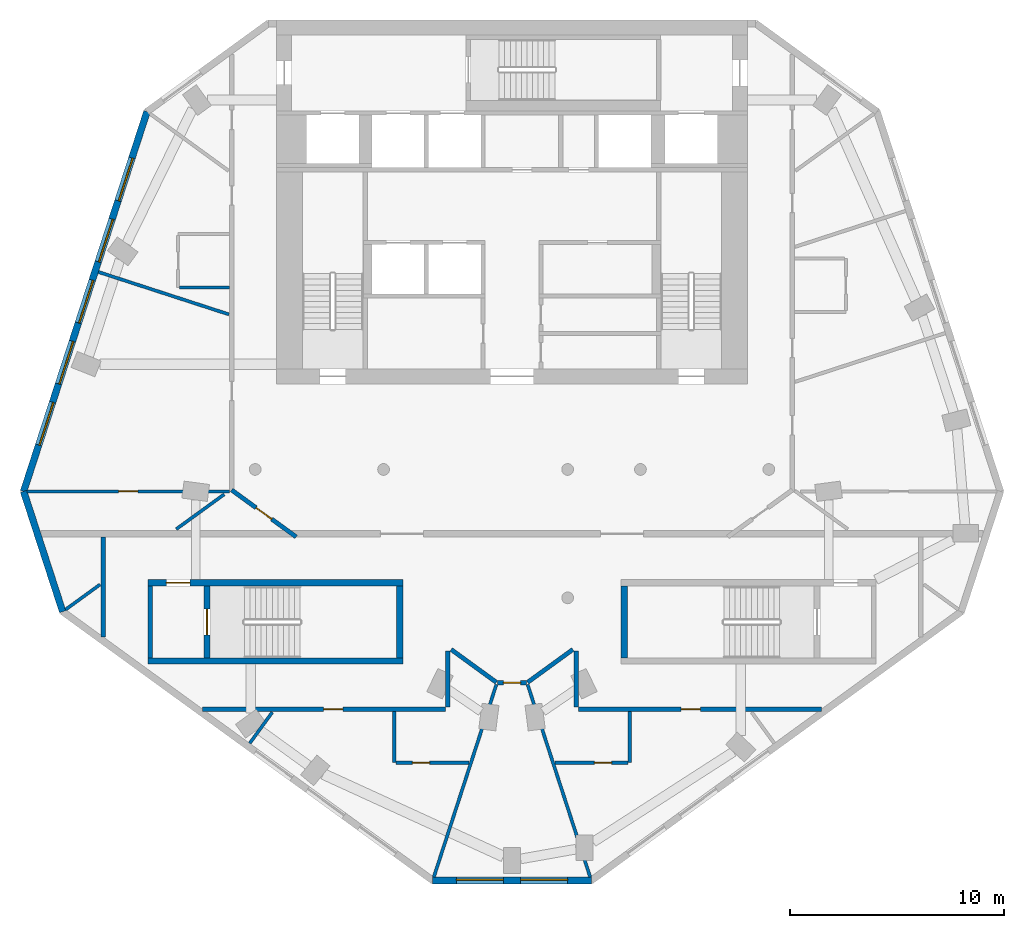
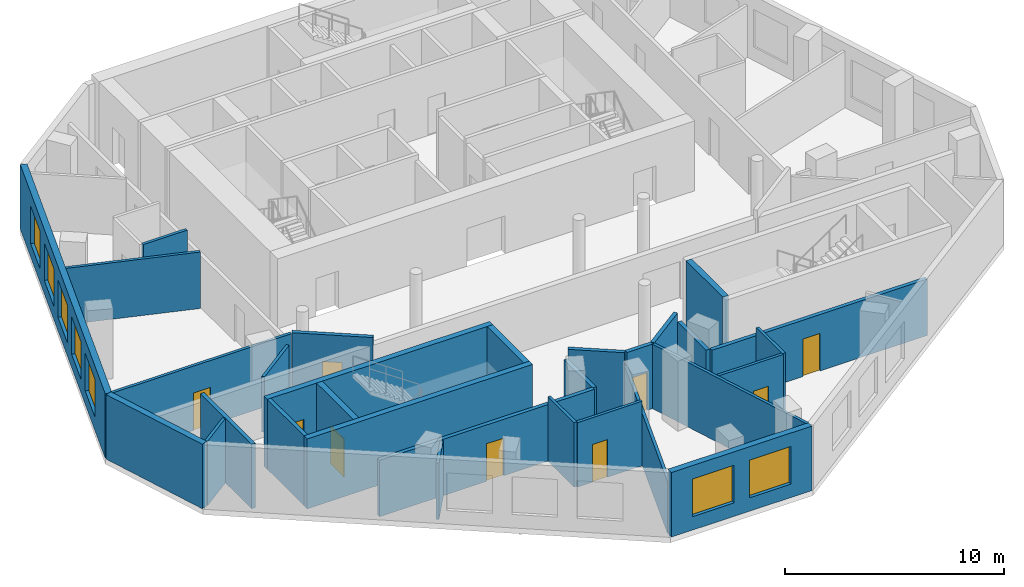
# One storey, part 2 of 8: 30 walls, 9 doors, 7 windows, 16 openings.
"""IFC4 building model written with IfcOpenShell, lengths in metres."""

from ifc_helpers import new_model, si_unit, direction, frame, frame_2d, origin, place, context, subcontext, project, spatial, rectangle, extrude, material, layer, layer_set, type_object, element, fill, save


model = new_model("IFC4")

# Units and contexts
model_context = context("Model", 3, precision=1e-05, world=origin(), true_north=direction((0.0, 1.0)))
body_context = subcontext(model_context, "Body", "Model", "MODEL_VIEW")
ifc_project = project(units=[si_unit("LENGTHUNIT", "METRE"), si_unit("AREAUNIT", "SQUARE_METRE"), si_unit("VOLUMEUNIT", "CUBIC_METRE"), si_unit("PLANEANGLEUNIT", "RADIAN"), si_unit("MASSUNIT", "GRAM", prefix="KILO")], contexts=[model_context])

# Site, building, storey
site_placement = place(None, origin())
site = spatial("IfcSite", under=ifc_project, at=site_placement, CompositionType="ELEMENT")
building_placement = place(site_placement, origin())
building = spatial("IfcBuilding", under=site, at=building_placement, Name="White Candle Pilgrim Tower", CompositionType="ELEMENT")
storey_placement = place(building_placement, frame((0.0, 0.0, 291.199951171875)))
storey = spatial("IfcBuildingStorey", under=building, at=storey_placement, Name="L69", CompositionType="ELEMENT", Elevation=291.199951171875)

# Walls
ifc_material_1 = material(Name="Concrete C50/60", Category="concrete")
ifc_layer_1 = layer(ifc_material_1, 0.199951171875)
ifc_layer_set_1 = layer_set([ifc_layer_1], Name="Core wall 200 mm Concrete C50/60")
wall_type_1 = type_object("IfcWallType", Name="Core wall 200 mm Concrete C50/60", PredefinedType="SHEAR", material=ifc_layer_set_1)
wall_1_placement = place(storey_placement, frame((53.10009765625, 58.199951171875, 0.0), z_axis=(0.0, 0.0, 1.0), x_axis=(0.0, 1.0, 0.0)))
element("IfcWall", 1, at=wall_1_placement, inside=storey, type_object=wall_type_1, Name="WL-L69-C03", PredefinedType="SHEAR", context=body_context, shape_type="SweptSolid", body=[
    extrude(rectangle(XDim=3.35009765625, YDim=0.199951171875, at=frame_2d((1.675048828125, 0.0))), origin(), (0.0, 0.0, 1.0), 3.900146484375),
])
ifc_material_2 = material(Name="Gypsum board on steel studs", Category="steel")
ifc_layer_2 = layer(ifc_material_2, 0.199951171875)
ifc_layer_set_2 = layer_set([ifc_layer_2], Name="Corridor wall 200 mm EI 45")
wall_type_2 = type_object("IfcWallType", Name="Corridor wall 200 mm EI 45", PredefinedType="PARTITIONING", material=ifc_layer_set_2)
wall_2_placement = place(storey_placement, frame((50.89990234375, 59.1767578125, 0.0), z_axis=(0.0, 0.0, 1.0), x_axis=(0.0, 1.0, 0.0)))
element("IfcWall", 2, at=wall_2_placement, inside=storey, type_object=wall_type_2, Name="WL-L69-P002", PredefinedType="PARTITIONING", context=body_context, shape_type="SweptSolid", body=[
    extrude(rectangle(XDim=4.67333984375, YDim=0.199951171875, at=frame_2d((2.336669921875, 0.0))), origin(), (0.0, 0.0, 1.0), 3.60009765625),
])

# Wall, opening, door
wall_3_placement = place(storey_placement, frame((59.91552734375, 63.85009765625, 0.0), z_axis=(0.0, 0.0, 1.0), x_axis=(-0.809024883744, 0.587774393355, 0.0)))
wall_3 = element("IfcWall", 3, at=wall_3_placement, inside=storey, type_object=wall_type_2, Name="WL-L69-P003", PredefinedType="PARTITIONING", context=body_context, shape_type="SweptSolid", body=[
    extrude(rectangle(XDim=3.7275390625, YDim=0.199951171875, at=frame_2d((1.86376953125, 0.0))), origin(), (0.0, 0.0, 1.0), 3.60009765625),
])
opening_1_placement = place(wall_3_placement, frame((1.413818359375, 0.0, 0.0)))
opening_1 = element("IfcOpeningElement", 4, at=opening_1_placement, cuts=wall_3, Name="Opening T21-118", PredefinedType="OPENING", context=body_context, shape_type="SweptSolid", body=[
    extrude(rectangle(XDim=0.89990234375, YDim=2.10009765625, at=frame_2d((0.449951171875, 1.050048828125))), frame((0.0, 0.10986328125, 0.0), z_axis=(0.0, -1.0, 0.0), x_axis=(1.0, 0.0, 0.0)), (0.0, 0.0, 1.0), 0.219970703125),
])
ifc_material_3 = material(Name="Steel door leaf", Category="steel")
door_type_1 = type_object("IfcDoorType", Name="Fire door 900 x 2100 EI 30", OperationType="NOTDEFINED", PredefinedType="DOOR", material=ifc_material_3)
door_1_placement = place(opening_1_placement, origin())
door_1 = element("IfcDoor", 5, at=door_1_placement, inside=storey, type_object=door_type_1, Name="Door T21-118", OperationType="SINGLE_SWING_RIGHT", OverallHeight=2.10009765625, OverallWidth=0.89990234375, PredefinedType="DOOR", context=body_context, shape_type="SweptSolid", body=[
    extrude(rectangle(XDim=0.89990234375, YDim=2.10009765625, at=frame_2d((0.449951171875, 1.050048828125))), frame((0.0, 0.02490234375, 0.0), z_axis=(0.0, -1.0, 0.0), x_axis=(1.0, 0.0, 0.0)), (0.0, 0.0, 1.0), 0.050048828125),
])
fill(opening_1, door_1)

wall_4_placement = place(storey_placement, frame((84.452392578125, 55.800048828125, 0.0), z_axis=(0.0, 0.0, 1.0), x_axis=(-1.0, 0.0, 0.0)))
wall_4 = element("IfcWall", 6, at=wall_4_placement, inside=storey, type_object=wall_type_2, Name="WL-L69-P008", PredefinedType="PARTITIONING", context=body_context, shape_type="SweptSolid", body=[
    extrude(rectangle(XDim=11.352294921875, YDim=0.199951171875, at=frame_2d((5.67626953125, 0.0))), origin(), (0.0, 0.0, 1.0), 3.150146484375),
])
opening_2_placement = place(wall_4_placement, frame((5.654541015625, 0.0, 0.0)))
opening_2 = element("IfcOpeningElement", 7, at=opening_2_placement, cuts=wall_4, Name="Opening T21-106", PredefinedType="OPENING", context=body_context, shape_type="SweptSolid", body=[
    extrude(rectangle(XDim=0.89990234375, YDim=2.10009765625, at=frame_2d((0.449951171875, 1.050048828125))), frame((0.0, 0.10986328125, 0.0), z_axis=(0.0, -1.0, 0.0), x_axis=(1.0, 0.0, 0.0)), (0.0, 0.0, 1.0), 0.219970703125),
])
door_2_placement = place(opening_2_placement, origin())
door_2 = element("IfcDoor", 8, at=door_2_placement, inside=storey, type_object=door_type_1, Name="Door T21-106", OperationType="SINGLE_SWING_RIGHT", OverallHeight=2.10009765625, OverallWidth=0.89990234375, PredefinedType="DOOR", context=body_context, shape_type="SweptSolid", body=[
    extrude(rectangle(XDim=0.89990234375, YDim=2.10009765625, at=frame_2d((0.449951171875, 1.050048828125))), frame((0.0, 0.02490234375, 0.0), z_axis=(0.0, -1.0, 0.0), x_axis=(1.0, 0.0, 0.0)), (0.0, 0.0, 1.0), 0.050048828125),
])
fill(opening_2, door_2)

# Walls
wall_5_placement = place(storey_placement, frame((73.0, 55.89990234375, 0.0), z_axis=(0.0, 0.0, 1.0), x_axis=(0.0, 1.0, 0.0)))
element("IfcWall", 9, at=wall_5_placement, inside=storey, type_object=wall_type_2, Name="WL-L69-P009", PredefinedType="PARTITIONING", context=body_context, shape_type="SweptSolid", body=[
    extrude(rectangle(XDim=2.606689453125, YDim=0.199951171875, at=frame_2d((1.30322265625, 0.0))), origin(), (0.0, 0.0, 1.0), 3.10009765625),
])
wall_6_placement = place(storey_placement, frame((72.84130859375, 58.58740234375, 0.0), z_axis=(0.0, 0.0, 1.0), x_axis=(-0.809063502696, -0.587721233754, 0.0)))
element("IfcWall", 10, at=wall_6_placement, inside=storey, type_object=wall_type_2, Name="WL-L69-P010", PredefinedType="PARTITIONING", context=body_context, shape_type="SweptSolid", body=[
    extrude(rectangle(XDim=2.61083984375, YDim=0.199951171875, at=frame_2d((1.305419921875, 0.0))), origin(), (0.0, 0.0, 1.0), 3.60009765625),
])

# Wall, opening, door
wall_7_placement = place(storey_placement, frame((70.67041015625, 57.033935546875, 0.0), z_axis=(0.0, 0.0, 1.0), x_axis=(-1.0, 0.0, 0.0)))
wall_7 = element("IfcWall", 11, at=wall_7_placement, inside=storey, type_object=wall_type_2, Name="WL-L69-P011", PredefinedType="PARTITIONING", context=body_context, shape_type="SweptSolid", body=[
    extrude(rectangle(XDim=1.3408203125, YDim=0.199951171875, at=frame_2d((0.67041015625, 0.0))), origin(), (0.0, 0.0, 1.0), 3.60009765625),
])
opening_3_placement = place(wall_7_placement, frame((0.270263671875, 0.0, 0.0)))
opening_3 = element("IfcOpeningElement", 12, at=opening_3_placement, cuts=wall_7, Name="Opening T21-104", PredefinedType="OPENING", context=body_context, shape_type="SweptSolid", body=[
    extrude(rectangle(XDim=0.800048828125, YDim=2.10009765625, at=frame_2d((0.39990234375, 1.050048828125))), frame((0.0, 0.10986328125, 0.0), z_axis=(0.0, -1.0, 0.0), x_axis=(1.0, 0.0, 0.0)), (0.0, 0.0, 1.0), 0.219970703125),
])
door_type_2 = type_object("IfcDoorType", Name="Fire door 800 x 2100 EI 30", OperationType="NOTDEFINED", PredefinedType="DOOR", material=ifc_material_3)
door_3_placement = place(opening_3_placement, origin())
door_3 = element("IfcDoor", 13, at=door_3_placement, inside=storey, type_object=door_type_2, Name="Door T21-104", OperationType="SINGLE_SWING_RIGHT", OverallHeight=2.10009765625, OverallWidth=0.800048828125, PredefinedType="DOOR", context=body_context, shape_type="SweptSolid", body=[
    extrude(rectangle(XDim=0.800048828125, YDim=2.10009765625, at=frame_2d((0.39990234375, 1.050048828125))), frame((0.0, 0.02490234375, 0.0), z_axis=(0.0, -1.0, 0.0), x_axis=(1.0, 0.0, 0.0)), (0.0, 0.0, 1.0), 0.050048828125),
])
fill(opening_3, door_3)

# Walls
wall_8_placement = place(storey_placement, frame((69.27099609375, 57.052978515625, 0.0), z_axis=(0.0, 0.0, 1.0), x_axis=(-0.809063502696, 0.587721233754, 0.0)))
element("IfcWall", 14, at=wall_8_placement, inside=storey, type_object=wall_type_2, Name="WL-L69-P012", PredefinedType="PARTITIONING", context=body_context, shape_type="SweptSolid", body=[
    extrude(rectangle(XDim=2.61083984375, YDim=0.199951171875, at=frame_2d((1.305419921875, 0.0))), origin(), (0.0, 0.0, 1.0), 3.60009765625),
])
wall_9_placement = place(storey_placement, frame((67.0, 58.506591796875, 0.0), z_axis=(0.0, 0.0, 1.0), x_axis=(0.0, -1.0, 0.0)))
element("IfcWall", 15, at=wall_9_placement, inside=storey, type_object=wall_type_2, Name="WL-L69-P013", PredefinedType="PARTITIONING", context=body_context, shape_type="SweptSolid", body=[
    extrude(rectangle(XDim=2.606689453125, YDim=0.199951171875, at=frame_2d((1.30322265625, 0.0))), origin(), (0.0, 0.0, 1.0), 3.10009765625),
])

# Wall, opening, door
wall_10_placement = place(storey_placement, frame((66.89990234375, 55.800048828125, 0.0), z_axis=(0.0, 0.0, 1.0), x_axis=(-1.0, 0.0, 0.0)))
wall_10 = element("IfcWall", 16, at=wall_10_placement, inside=storey, type_object=wall_type_2, Name="WL-L69-P014", PredefinedType="PARTITIONING", context=body_context, shape_type="SweptSolid", body=[
    extrude(rectangle(XDim=11.352294921875, YDim=0.199951171875, at=frame_2d((5.67626953125, 0.0))), origin(), (0.0, 0.0, 1.0), 3.150146484375),
])
opening_4_placement = place(wall_10_placement, frame((4.7978515625, 0.0, 0.0)))
opening_4 = element("IfcOpeningElement", 17, at=opening_4_placement, cuts=wall_10, Name="Opening T21-103", PredefinedType="OPENING", context=body_context, shape_type="SweptSolid", body=[
    extrude(rectangle(XDim=0.89990234375, YDim=2.10009765625, at=frame_2d((0.449951171875, 1.050048828125))), frame((0.0, 0.10986328125, 0.0), z_axis=(0.0, -1.0, 0.0), x_axis=(1.0, 0.0, 0.0)), (0.0, 0.0, 1.0), 0.219970703125),
])
door_4_placement = place(opening_4_placement, origin())
door_4 = element("IfcDoor", 18, at=door_4_placement, inside=storey, type_object=door_type_1, Name="Door T21-103", OperationType="SINGLE_SWING_LEFT", OverallHeight=2.10009765625, OverallWidth=0.89990234375, PredefinedType="DOOR", context=body_context, shape_type="SweptSolid", body=[
    extrude(rectangle(XDim=0.89990234375, YDim=2.10009765625, at=frame_2d((0.449951171875, 1.050048828125))), frame((0.0, 0.02490234375, 0.0), z_axis=(0.0, -1.0, 0.0), x_axis=(1.0, 0.0, 0.0)), (0.0, 0.0, 1.0), 0.050048828125),
])
fill(opening_4, door_4)

# Wall
ifc_material_4 = material(Name="Precast concrete C40/50", Category="concrete")
ifc_layer_3 = layer(ifc_material_4, 0.320068359375)
ifc_layer_set_3 = layer_set([ifc_layer_3], Name="Facade wall EW1 precast concrete C40/50 pier wall with timber-lined reveals")
wall_type_3 = type_object("IfcWallType", Name="Facade wall EW1 precast concrete C40/50 pier wall with timber-lined reveals", PredefinedType="SOLIDWALL", material=ifc_layer_set_3)
wall_11_placement = place(storey_placement, frame((47.180419921875, 65.974853515625, 0.0), z_axis=(0.0, 0.0, 1.0), x_axis=(0.30899265151, -0.951064425427, 0.0)))
element("IfcWall", 19, at=wall_11_placement, inside=storey, type_object=wall_type_3, Name="Facade wall L69 W chamfer", PredefinedType="SOLIDWALL", context=body_context, shape_type="SweptSolid", body=[
    extrude(rectangle(XDim=5.9091796875, YDim=0.320068359375, at=frame_2d((2.95458984375, 0.0))), origin(), (0.0, 0.0, 1.0), 3.60009765625),
])

# Wall, openings, windows
wall_12_placement = place(storey_placement, frame((66.294921875, 47.7939453125, 0.0), z_axis=(0.0, 0.0, 1.0), x_axis=(1.0, 0.0, 0.0)))
wall_12 = element("IfcWall", 20, at=wall_12_placement, inside=storey, type_object=wall_type_3, Name="Facade wall L69 S chamfer", PredefinedType="SOLIDWALL", context=body_context, shape_type="SweptSolid", body=[
    extrude(rectangle(XDim=7.41015625, YDim=0.320068359375, at=frame_2d((3.705078125, 0.0))), origin(), (0.0, 0.0, 1.0), 3.60009765625),
])
opening_5_placement = place(wall_12_placement, frame((1.10498046875, 0.0, 0.75)))
opening_5 = element("IfcOpeningElement", 21, at=opening_5_placement, cuts=wall_12, Name="Opening W4", PredefinedType="OPENING", context=body_context, shape_type="SweptSolid", body=[
    extrude(rectangle(XDim=2.199951171875, YDim=2.10009765625, at=frame_2d((1.10009765625, 1.050048828125))), frame((0.0, 0.169921875, 0.0), z_axis=(0.0, -1.0, 0.0), x_axis=(1.0, 0.0, 0.0)), (0.0, 0.0, 1.0), 0.340087890625),
])
opening_6_placement = place(wall_12_placement, frame((4.10498046875, 0.0, 0.75)))
opening_6 = element("IfcOpeningElement", 22, at=opening_6_placement, cuts=wall_12, Name="Opening W4", PredefinedType="OPENING", context=body_context, shape_type="SweptSolid", body=[
    extrude(rectangle(XDim=2.199951171875, YDim=2.10009765625, at=frame_2d((1.10009765625, 1.050048828125))), frame((0.0, 0.169921875, 0.0), z_axis=(0.0, -1.0, 0.0), x_axis=(1.0, 0.0, 0.0)), (0.0, 0.0, 1.0), 0.340087890625),
])
ifc_material_5 = material(Name="Timber frame with triple glazing", Category="wood")
window_type_1 = type_object("IfcWindowType", Name="Window W4 2200x2100 timber frame triple glazing", PartitioningType="SINGLE_PANEL", PredefinedType="WINDOW", material=ifc_material_5)
window_1_placement = place(opening_5_placement, origin())
window_1 = element("IfcWindow", 23, at=window_1_placement, inside=storey, type_object=window_type_1, Name="Window W4 L69 S chamfer 1", OverallHeight=2.10009765625, OverallWidth=2.199951171875, PartitioningType="SINGLE_PANEL", PredefinedType="WINDOW", context=body_context, shape_type="SweptSolid", body=[
    extrude(rectangle(XDim=2.199951171875, YDim=2.10009765625, at=frame_2d((1.10009765625, 1.050048828125))), frame((0.0, 0.070068359375, 0.0), z_axis=(0.0, -1.0, 0.0), x_axis=(1.0, 0.0, 0.0)), (0.0, 0.0, 1.0), 0.06005859375),
])
fill(opening_5, window_1)
window_2_placement = place(opening_6_placement, origin())
window_2 = element("IfcWindow", 24, at=window_2_placement, inside=storey, type_object=window_type_1, Name="Window W4 L69 S chamfer 2", OverallHeight=2.10009765625, OverallWidth=2.199951171875, PartitioningType="SINGLE_PANEL", PredefinedType="WINDOW", context=body_context, shape_type="SweptSolid", body=[
    extrude(rectangle(XDim=2.199951171875, YDim=2.10009765625, at=frame_2d((1.10009765625, 1.050048828125))), frame((0.0, 0.070068359375, 0.0), z_axis=(0.0, -1.0, 0.0), x_axis=(1.0, 0.0, 0.0)), (0.0, 0.0, 1.0), 0.06005859375),
])
fill(opening_6, window_2)

wall_13_placement = place(storey_placement, frame((52.94677734375, 83.7216796875, 0.0), z_axis=(0.0, 0.0, 1.0), x_axis=(-0.3090200992, -0.951055507471, 0.0)))
wall_13 = element("IfcWall", 25, at=wall_13_placement, inside=storey, type_object=wall_type_3, Name="Facade wall L69 WNW", PredefinedType="SOLIDWALL", context=body_context, shape_type="SweptSolid", body=[
    extrude(rectangle(XDim=18.66015625, YDim=0.320068359375, at=frame_2d((9.330078125, 0.0))), origin(), (0.0, 0.0, 1.0), 3.60009765625),
])
opening_7_placement = place(wall_13_placement, frame((2.280029296875, 0.0, 0.75)))
opening_7 = element("IfcOpeningElement", 26, at=opening_7_placement, cuts=wall_13, Name="Opening W3", PredefinedType="OPENING", context=body_context, shape_type="SweptSolid", body=[
    extrude(rectangle(XDim=2.10009765625, YDim=2.10009765625, at=frame_2d((1.050048828125, 1.050048828125))), frame((0.0, 0.169921875, 0.0), z_axis=(0.0, -1.0, 0.0), x_axis=(1.0, 0.0, 0.0)), (0.0, 0.0, 1.0), 0.340087890625),
])
opening_8_placement = place(wall_13_placement, frame((5.280029296875, 0.0, 0.75)))
opening_8 = element("IfcOpeningElement", 27, at=opening_8_placement, cuts=wall_13, Name="Opening W3", PredefinedType="OPENING", context=body_context, shape_type="SweptSolid", body=[
    extrude(rectangle(XDim=2.10009765625, YDim=2.10009765625, at=frame_2d((1.050048828125, 1.050048828125))), frame((0.0, 0.169921875, 0.0), z_axis=(0.0, -1.0, 0.0), x_axis=(1.0, 0.0, 0.0)), (0.0, 0.0, 1.0), 0.340087890625),
])
opening_9_placement = place(wall_13_placement, frame((8.280029296875, 0.0, 0.75)))
opening_9 = element("IfcOpeningElement", 28, at=opening_9_placement, cuts=wall_13, Name="Opening W3", PredefinedType="OPENING", context=body_context, shape_type="SweptSolid", body=[
    extrude(rectangle(XDim=2.10009765625, YDim=2.10009765625, at=frame_2d((1.050048828125, 1.050048828125))), frame((0.0, 0.169921875, 0.0), z_axis=(0.0, -1.0, 0.0), x_axis=(1.0, 0.0, 0.0)), (0.0, 0.0, 1.0), 0.340087890625),
])
opening_10_placement = place(wall_13_placement, frame((11.280029296875, 0.0, 0.75)))
opening_10 = element("IfcOpeningElement", 29, at=opening_10_placement, cuts=wall_13, Name="Opening W3", PredefinedType="OPENING", context=body_context, shape_type="SweptSolid", body=[
    extrude(rectangle(XDim=2.10009765625, YDim=2.10009765625, at=frame_2d((1.050048828125, 1.050048828125))), frame((0.0, 0.169921875, 0.0), z_axis=(0.0, -1.0, 0.0), x_axis=(1.0, 0.0, 0.0)), (0.0, 0.0, 1.0), 0.340087890625),
])
opening_11_placement = place(wall_13_placement, frame((14.280029296875, 0.0, 0.75)))
opening_11 = element("IfcOpeningElement", 30, at=opening_11_placement, cuts=wall_13, Name="Opening W3", PredefinedType="OPENING", context=body_context, shape_type="SweptSolid", body=[
    extrude(rectangle(XDim=2.10009765625, YDim=2.10009765625, at=frame_2d((1.050048828125, 1.050048828125))), frame((0.0, 0.169921875, 0.0), z_axis=(0.0, -1.0, 0.0), x_axis=(1.0, 0.0, 0.0)), (0.0, 0.0, 1.0), 0.340087890625),
])
window_type_2 = type_object("IfcWindowType", Name="Window W3 2100x2100 timber frame triple glazing", PartitioningType="SINGLE_PANEL", PredefinedType="WINDOW", material=ifc_material_5)
window_3_placement = place(opening_7_placement, origin())
window_3 = element("IfcWindow", 31, at=window_3_placement, inside=storey, type_object=window_type_2, Name="Window W3 L69 WNW 1", OverallHeight=2.10009765625, OverallWidth=2.10009765625, PartitioningType="SINGLE_PANEL", PredefinedType="WINDOW", context=body_context, shape_type="SweptSolid", body=[
    extrude(rectangle(XDim=2.10009765625, YDim=2.10009765625, at=frame_2d((1.050048828125, 1.050048828125))), frame((0.0, 0.070068359375, 0.0), z_axis=(0.0, -1.0, 0.0), x_axis=(1.0, 0.0, 0.0)), (0.0, 0.0, 1.0), 0.06005859375),
])
fill(opening_7, window_3)
window_4_placement = place(opening_8_placement, origin())
window_4 = element("IfcWindow", 32, at=window_4_placement, inside=storey, type_object=window_type_2, Name="Window W3 L69 WNW 2", OverallHeight=2.10009765625, OverallWidth=2.10009765625, PartitioningType="SINGLE_PANEL", PredefinedType="WINDOW", context=body_context, shape_type="SweptSolid", body=[
    extrude(rectangle(XDim=2.10009765625, YDim=2.10009765625, at=frame_2d((1.050048828125, 1.050048828125))), frame((0.0, 0.070068359375, 0.0), z_axis=(0.0, -1.0, 0.0), x_axis=(1.0, 0.0, 0.0)), (0.0, 0.0, 1.0), 0.06005859375),
])
fill(opening_8, window_4)
window_5_placement = place(opening_9_placement, origin())
window_5 = element("IfcWindow", 33, at=window_5_placement, inside=storey, type_object=window_type_2, Name="Window W3 L69 WNW 3", OverallHeight=2.10009765625, OverallWidth=2.10009765625, PartitioningType="SINGLE_PANEL", PredefinedType="WINDOW", context=body_context, shape_type="SweptSolid", body=[
    extrude(rectangle(XDim=2.10009765625, YDim=2.10009765625, at=frame_2d((1.050048828125, 1.050048828125))), frame((0.0, 0.070068359375, 0.0), z_axis=(0.0, -1.0, 0.0), x_axis=(1.0, 0.0, 0.0)), (0.0, 0.0, 1.0), 0.06005859375),
])
fill(opening_9, window_5)
window_6_placement = place(opening_10_placement, origin())
window_6 = element("IfcWindow", 34, at=window_6_placement, inside=storey, type_object=window_type_2, Name="Window W3 L69 WNW 4", OverallHeight=2.10009765625, OverallWidth=2.10009765625, PartitioningType="SINGLE_PANEL", PredefinedType="WINDOW", context=body_context, shape_type="SweptSolid", body=[
    extrude(rectangle(XDim=2.10009765625, YDim=2.10009765625, at=frame_2d((1.050048828125, 1.050048828125))), frame((0.0, 0.070068359375, 0.0), z_axis=(0.0, -1.0, 0.0), x_axis=(1.0, 0.0, 0.0)), (0.0, 0.0, 1.0), 0.06005859375),
])
fill(opening_10, window_6)
window_7_placement = place(opening_11_placement, origin())
window_7 = element("IfcWindow", 35, at=window_7_placement, inside=storey, type_object=window_type_2, Name="Window W3 L69 WNW 5", OverallHeight=2.10009765625, OverallWidth=2.10009765625, PartitioningType="SINGLE_PANEL", PredefinedType="WINDOW", context=body_context, shape_type="SweptSolid", body=[
    extrude(rectangle(XDim=2.10009765625, YDim=2.10009765625, at=frame_2d((1.050048828125, 1.050048828125))), frame((0.0, 0.070068359375, 0.0), z_axis=(0.0, -1.0, 0.0), x_axis=(1.0, 0.0, 0.0)), (0.0, 0.0, 1.0), 0.06005859375),
])
fill(opening_11, window_7)

# Wall, opening, door
ifc_layer_4 = layer(ifc_material_2, 0.14990234375)
ifc_layer_set_4 = layer_set([ifc_layer_4], Name="Partition 150 mm EI 60")
wall_type_4 = type_object("IfcWallType", Name="Partition 150 mm EI 60", PredefinedType="PARTITIONING", material=ifc_layer_set_4)
wall_14_placement = place(storey_placement, frame((47.3486328125, 65.974853515625, 0.0), z_axis=(0.0, 0.0, 1.0), x_axis=(1.0, 0.0, 0.0)))
wall_14 = element("IfcWall", 36, at=wall_14_placement, inside=storey, type_object=wall_type_4, Name="WL-L69-P016", PredefinedType="PARTITIONING", context=body_context, shape_type="SweptSolid", body=[
    extrude(rectangle(XDim=9.451416015625, YDim=0.14990234375, at=frame_2d((4.7255859375, 0.0))), origin(), (0.0, 0.0, 1.0), 3.60009765625),
])
opening_12_placement = place(wall_14_placement, frame((4.267822265625, 0.0, 0.0)))
opening_12 = element("IfcOpeningElement", 37, at=opening_12_placement, cuts=wall_14, Name="Opening T21-120", PredefinedType="OPENING", context=body_context, shape_type="SweptSolid", body=[
    extrude(rectangle(XDim=0.89990234375, YDim=2.10009765625, at=frame_2d((0.449951171875, 1.050048828125))), frame((0.0, 0.0849609375, 0.0), z_axis=(0.0, -1.0, 0.0), x_axis=(1.0, 0.0, 0.0)), (0.0, 0.0, 1.0), 0.169921875),
])
door_5_placement = place(opening_12_placement, frame((0.89990234375, 0.0, 0.0), z_axis=(0.0, 0.0, 1.0), x_axis=(-1.0, 0.0, 0.0)))
door_5 = element("IfcDoor", 38, at=door_5_placement, inside=storey, type_object=door_type_1, Name="Door T21-120", OperationType="SINGLE_SWING_LEFT", OverallHeight=2.10009765625, OverallWidth=0.89990234375, PredefinedType="DOOR", context=body_context, shape_type="SweptSolid", body=[
    extrude(rectangle(XDim=0.89990234375, YDim=2.10009765625, at=frame_2d((0.449951171875, 1.050048828125))), frame((0.0, 0.02490234375, 0.0), z_axis=(0.0, -1.0, 0.0), x_axis=(1.0, 0.0, 0.0)), (0.0, 0.0, 1.0), 0.050048828125),
])
fill(opening_12, door_5)

# Walls
wall_15_placement = place(storey_placement, frame((49.142578125, 60.45361328125, 0.0), z_axis=(0.0, 0.0, 1.0), x_axis=(0.809016588302, 0.587785811204, 0.0)))
element("IfcWall", 39, at=wall_15_placement, inside=storey, type_object=wall_type_4, Name="WL-L69-P017", PredefinedType="PARTITIONING", context=body_context, shape_type="SweptSolid", body=[
    extrude(rectangle(XDim=1.994140625, YDim=0.14990234375, at=frame_2d((0.9970703125, 0.0))), origin(), (0.0, 0.0, 1.0), 3.60009765625),
])
wall_16_placement = place(storey_placement, frame((54.313720703125, 64.210693359375, 0.0), z_axis=(0.0, 0.0, 1.0), x_axis=(0.809002762913, 0.58780483972, 0.0)))
element("IfcWall", 40, at=wall_16_placement, inside=storey, type_object=wall_type_4, Name="WL-L69-P018", PredefinedType="PARTITIONING", context=body_context, shape_type="SweptSolid", body=[
    extrude(rectangle(XDim=2.770263671875, YDim=0.14990234375, at=frame_2d((1.38525390625, 0.0))), origin(), (0.0, 0.0, 1.0), 3.10009765625),
])
wall_17_placement = place(storey_placement, frame((66.346923828125, 47.953857421875, 0.0), z_axis=(0.0, 0.0, 1.0), x_axis=(0.309027729723, 0.951053028102, 0.0)))
element("IfcWall", 41, at=wall_17_placement, inside=storey, type_object=wall_type_4, Name="WL-L69-P019", PredefinedType="PARTITIONING", context=body_context, shape_type="SweptSolid", body=[
    extrude(rectangle(XDim=9.462158203125, YDim=0.14990234375, at=frame_2d((4.73095703125, 0.0))), origin(), (0.0, 0.0, 1.0), 2.900146484375),
])
wall_18_placement = place(storey_placement, frame((73.653076171875, 47.953857421875, 0.0), z_axis=(0.0, 0.0, 1.0), x_axis=(-0.309027729723, 0.951053028102, 0.0)))
element("IfcWall", 42, at=wall_18_placement, inside=storey, type_object=wall_type_4, Name="WL-L69-P020", PredefinedType="PARTITIONING", context=body_context, shape_type="SweptSolid", body=[
    extrude(rectangle(XDim=9.462158203125, YDim=0.14990234375, at=frame_2d((4.73095703125, 0.0))), origin(), (0.0, 0.0, 1.0), 3.60009765625),
])
wall_19_placement = place(storey_placement, frame((50.67919921875, 76.225341796875, 0.0), z_axis=(0.0, 0.0, 1.0), x_axis=(0.951058691075, -0.309010301012, 0.0)))
element("IfcWall", 43, at=wall_19_placement, inside=storey, type_object=wall_type_4, Name="WL-L69-P025", PredefinedType="PARTITIONING", context=body_context, shape_type="SweptSolid", body=[
    extrude(rectangle(XDim=6.411376953125, YDim=0.14990234375, at=frame_2d((3.20556640625, 0.0))), origin(), (0.0, 0.0, 1.0), 3.150146484375),
])
wall_20_placement = place(storey_placement, frame((56.800048828125, 75.504150390625, 0.0), z_axis=(0.0, 0.0, 1.0), x_axis=(-1.0, 0.0, 0.0)))
element("IfcWall", 44, at=wall_20_placement, inside=storey, type_object=wall_type_4, Name="WL-L69-P028", PredefinedType="PARTITIONING", context=body_context, shape_type="SweptSolid", body=[
    extrude(rectangle(XDim=2.324951171875, YDim=0.14990234375, at=frame_2d((1.16259765625, 0.0))), origin(), (0.0, 0.0, 1.0), 3.60009765625),
])
wall_21_placement = place(storey_placement, frame((57.74462890625, 54.20361328125, 0.0), z_axis=(0.0, 0.0, 1.0), x_axis=(0.58776731683, 0.809030024947, 0.0)))
element("IfcWall", 45, at=wall_21_placement, inside=storey, type_object=wall_type_4, Name="WL-L69-P029", PredefinedType="PARTITIONING", context=body_context, shape_type="SweptSolid", body=[
    extrude(rectangle(XDim=1.795166015625, YDim=0.14990234375, at=frame_2d((0.8974609375, 0.0))), origin(), (0.0, 0.0, 1.0), 3.150146484375),
])
wall_22_placement = place(storey_placement, frame((64.5, 55.699951171875, 0.0), z_axis=(0.0, 0.0, 1.0), x_axis=(0.0, -1.0, 0.0)))
element("IfcWall", 46, at=wall_22_placement, inside=storey, type_object=wall_type_4, Name="WL-L69-P030", PredefinedType="PARTITIONING", context=body_context, shape_type="SweptSolid", body=[
    extrude(rectangle(XDim=2.39990234375, YDim=0.14990234375, at=frame_2d((1.199951171875, 0.0))), origin(), (0.0, 0.0, 1.0), 3.60009765625),
])

# Wall, opening, door
wall_23_placement = place(storey_placement, frame((67.980712890625, 53.300048828125, 0.0), z_axis=(0.0, 0.0, 1.0), x_axis=(-1.0, 0.0, 0.0)))
wall_23 = element("IfcWall", 47, at=wall_23_placement, inside=storey, type_object=wall_type_4, Name="WL-L69-P031", PredefinedType="PARTITIONING", context=body_context, shape_type="SweptSolid", body=[
    extrude(rectangle(XDim=3.40576171875, YDim=0.14990234375, at=frame_2d((1.702880859375, 0.0))), origin(), (0.0, 0.0, 1.0), 3.60009765625),
])
opening_13_placement = place(wall_23_placement, frame((1.830810546875, 0.0, 0.0)))
opening_13 = element("IfcOpeningElement", 48, at=opening_13_placement, cuts=wall_23, Name="Opening T21-102", PredefinedType="OPENING", context=body_context, shape_type="SweptSolid", body=[
    extrude(rectangle(XDim=0.800048828125, YDim=2.10009765625, at=frame_2d((0.39990234375, 1.050048828125))), frame((0.0, 0.0849609375, 0.0), z_axis=(0.0, -1.0, 0.0), x_axis=(1.0, 0.0, 0.0)), (0.0, 0.0, 1.0), 0.169921875),
])
door_6_placement = place(opening_13_placement, origin())
door_6 = element("IfcDoor", 49, at=door_6_placement, inside=storey, type_object=door_type_2, Name="Door T21-102", OperationType="SINGLE_SWING_RIGHT", OverallHeight=2.10009765625, OverallWidth=0.800048828125, PredefinedType="DOOR", context=body_context, shape_type="SweptSolid", body=[
    extrude(rectangle(XDim=0.800048828125, YDim=2.10009765625, at=frame_2d((0.39990234375, 1.050048828125))), frame((0.0, 0.02490234375, 0.0), z_axis=(0.0, -1.0, 0.0), x_axis=(1.0, 0.0, 0.0)), (0.0, 0.0, 1.0), 0.050048828125),
])
fill(opening_13, door_6)

# Wall
wall_24_placement = place(storey_placement, frame((75.5, 55.699951171875, 0.0), z_axis=(0.0, 0.0, 1.0), x_axis=(0.0, -1.0, 0.0)))
element("IfcWall", 50, at=wall_24_placement, inside=storey, type_object=wall_type_4, Name="WL-L69-P033", PredefinedType="PARTITIONING", context=body_context, shape_type="SweptSolid", body=[
    extrude(rectangle(XDim=2.39990234375, YDim=0.14990234375, at=frame_2d((1.199951171875, 0.0))), origin(), (0.0, 0.0, 1.0), 3.60009765625),
])

# Wall, opening, door
wall_25_placement = place(storey_placement, frame((72.019287109375, 53.300048828125, 0.0), z_axis=(0.0, 0.0, 1.0), x_axis=(1.0, 0.0, 0.0)))
wall_25 = element("IfcWall", 51, at=wall_25_placement, inside=storey, type_object=wall_type_4, Name="WL-L69-P034", PredefinedType="PARTITIONING", context=body_context, shape_type="SweptSolid", body=[
    extrude(rectangle(XDim=3.40576171875, YDim=0.14990234375, at=frame_2d((1.702880859375, 0.0))), origin(), (0.0, 0.0, 1.0), 3.60009765625),
])
opening_14_placement = place(wall_25_placement, frame((1.830810546875, 0.0, 0.0)))
opening_14 = element("IfcOpeningElement", 52, at=opening_14_placement, cuts=wall_25, Name="Opening T21-105", PredefinedType="OPENING", context=body_context, shape_type="SweptSolid", body=[
    extrude(rectangle(XDim=0.800048828125, YDim=2.10009765625, at=frame_2d((0.39990234375, 1.050048828125))), frame((0.0, 0.0849609375, 0.0), z_axis=(0.0, -1.0, 0.0), x_axis=(1.0, 0.0, 0.0)), (0.0, 0.0, 1.0), 0.169921875),
])
door_7_placement = place(opening_14_placement, frame((0.800048828125, 0.0, 0.0), z_axis=(0.0, 0.0, 1.0), x_axis=(-1.0, 0.0, 0.0)))
door_7 = element("IfcDoor", 53, at=door_7_placement, inside=storey, type_object=door_type_2, Name="Door T21-105", OperationType="SINGLE_SWING_RIGHT", OverallHeight=2.10009765625, OverallWidth=0.800048828125, PredefinedType="DOOR", context=body_context, shape_type="SweptSolid", body=[
    extrude(rectangle(XDim=0.800048828125, YDim=2.10009765625, at=frame_2d((0.39990234375, 1.050048828125))), frame((0.0, 0.02490234375, 0.0), z_axis=(0.0, -1.0, 0.0), x_axis=(1.0, 0.0, 0.0)), (0.0, 0.0, 1.0), 0.050048828125),
])
fill(opening_14, door_7)

# Wall
ifc_layer_5 = layer(ifc_material_1, 0.300048828125)
ifc_layer_set_5 = layer_set([ifc_layer_5], Name="Stair shaft wall 300 mm Concrete C50/60")
wall_type_5 = type_object("IfcWallType", Name="Stair shaft wall 300 mm Concrete C50/60", PredefinedType="SHEAR", material=ifc_layer_set_5)
wall_26_placement = place(storey_placement, frame((53.0, 58.050048828125, 0.0), z_axis=(0.0, 0.0, 1.0), x_axis=(1.0, 0.0, 0.0)))
element("IfcWall", 54, at=wall_26_placement, inside=storey, type_object=wall_type_5, Name="WL-L69-C01", PredefinedType="SHEAR", context=body_context, shape_type="SweptSolid", body=[
    extrude(rectangle(XDim=11.89990234375, YDim=0.300048828125, at=frame_2d((5.949951171875, 0.0))), origin(), (0.0, 0.0, 1.0), 3.900146484375),
])

# Wall, opening, door
wall_27_placement = place(storey_placement, frame((55.75, 58.199951171875, 0.0), z_axis=(0.0, 0.0, 1.0), x_axis=(0.0, 1.0, 0.0)))
wall_27 = element("IfcWall", 55, at=wall_27_placement, inside=storey, type_object=wall_type_5, Name="WL-L69-C04", PredefinedType="SHEAR", context=body_context, shape_type="SweptSolid", body=[
    extrude(rectangle(XDim=3.35009765625, YDim=0.300048828125, at=frame_2d((1.675048828125, 0.0))), origin(), (0.0, 0.0, 1.0), 3.900146484375),
])
opening_15_placement = place(wall_27_placement, frame((1.074951171875, 0.0, 0.0)))
opening_15 = element("IfcOpeningElement", 56, at=opening_15_placement, cuts=wall_27, Name="Opening T21-011", PredefinedType="OPENING", context=body_context, shape_type="SweptSolid", body=[
    extrude(rectangle(XDim=1.199951171875, YDim=2.10009765625, at=frame_2d((0.60009765625, 1.050048828125))), frame((0.0, 0.159912109375, 0.0), z_axis=(0.0, -1.0, 0.0), x_axis=(1.0, 0.0, 0.0)), (0.0, 0.0, 1.0), 0.320068359375),
])
door_type_3 = type_object("IfcDoorType", Name="Fire door 1200 x 2100 EI 60", OperationType="NOTDEFINED", PredefinedType="DOOR", material=ifc_material_3)
door_8_placement = place(opening_15_placement, frame((1.199951171875, 0.0, 0.0), z_axis=(0.0, 0.0, 1.0), x_axis=(-1.0, 0.0, 0.0)))
door_8 = element("IfcDoor", 57, at=door_8_placement, inside=storey, type_object=door_type_3, Name="Door T21-011", OperationType="SINGLE_SWING_RIGHT", OverallHeight=2.10009765625, OverallWidth=1.199951171875, PredefinedType="DOOR", context=body_context, shape_type="SweptSolid", body=[
    extrude(rectangle(XDim=1.199951171875, YDim=2.10009765625, at=frame_2d((0.60009765625, 1.050048828125))), frame((0.0, 0.02490234375, 0.0), z_axis=(0.0, -1.0, 0.0), x_axis=(1.0, 0.0, 0.0)), (0.0, 0.0, 1.0), 0.050048828125),
])
fill(opening_15, door_8)

# Walls
for number, where, z_axis, x_axis, name in (
    (58, (64.75, 58.199951171875, 0.0), (0.0, 0.0, 1.0), (0.0, 1.0, 0.0), "WL-L69-C05"),
    (59, (75.25, 58.199951171875, 0.0), (0.0, 0.0, 1.0), (0.0, 1.0, 0.0), "WL-L69-C06"),
):
    element("IfcWall", number, at=place(storey_placement, frame(where, z_axis=z_axis, x_axis=x_axis)), inside=storey, type_object=wall_type_5, Name=name, PredefinedType="SHEAR", context=body_context, shape_type="SweptSolid", body=[
        extrude(rectangle(XDim=3.35009765625, YDim=0.300048828125, at=frame_2d((1.675048828125, 0.0))), origin(), (0.0, 0.0, 1.0), 3.900146484375),
    ])

# Wall, opening, door
wall_28_placement = place(storey_placement, frame((53.0, 61.699951171875, 0.0), z_axis=(0.0, 0.0, 1.0), x_axis=(1.0, 0.0, 0.0)))
wall_28 = element("IfcWall", 60, at=wall_28_placement, inside=storey, type_object=wall_type_5, Name="WL-L69-C09", PredefinedType="SHEAR", context=body_context, shape_type="SweptSolid", body=[
    extrude(rectangle(XDim=11.89990234375, YDim=0.300048828125, at=frame_2d((5.949951171875, 0.0))), origin(), (0.0, 0.0, 1.0), 3.900146484375),
])
opening_16_placement = place(wall_28_placement, frame((0.85009765625, 0.0, 0.0)))
opening_16 = element("IfcOpeningElement", 61, at=opening_16_placement, cuts=wall_28, Name="Opening T21-010", PredefinedType="OPENING", context=body_context, shape_type="SweptSolid", body=[
    extrude(rectangle(XDim=1.10009765625, YDim=2.10009765625, at=frame_2d((0.550048828125, 1.050048828125))), frame((0.0, 0.159912109375, 0.0), z_axis=(0.0, -1.0, 0.0), x_axis=(1.0, 0.0, 0.0)), (0.0, 0.0, 1.0), 0.320068359375),
])
door_type_4 = type_object("IfcDoorType", Name="Fire door 1100 x 2100 EI 60", OperationType="NOTDEFINED", PredefinedType="DOOR", material=ifc_material_3)
door_9_placement = place(opening_16_placement, frame((1.10009765625, 0.0, 0.0), z_axis=(0.0, 0.0, 1.0), x_axis=(-1.0, 0.0, 0.0)))
door_9 = element("IfcDoor", 62, at=door_9_placement, inside=storey, type_object=door_type_4, Name="Door T21-010", OperationType="SINGLE_SWING_LEFT", OverallHeight=2.10009765625, OverallWidth=1.10009765625, PredefinedType="DOOR", context=body_context, shape_type="SweptSolid", body=[
    extrude(rectangle(XDim=1.10009765625, YDim=2.10009765625, at=frame_2d((0.550048828125, 1.050048828125))), frame((0.0, 0.02490234375, 0.0), z_axis=(0.0, -1.0, 0.0), x_axis=(1.0, 0.0, 0.0)), (0.0, 0.0, 1.0), 0.050048828125),
])
fill(opening_16, door_9)

save(model, "model.ifc")
